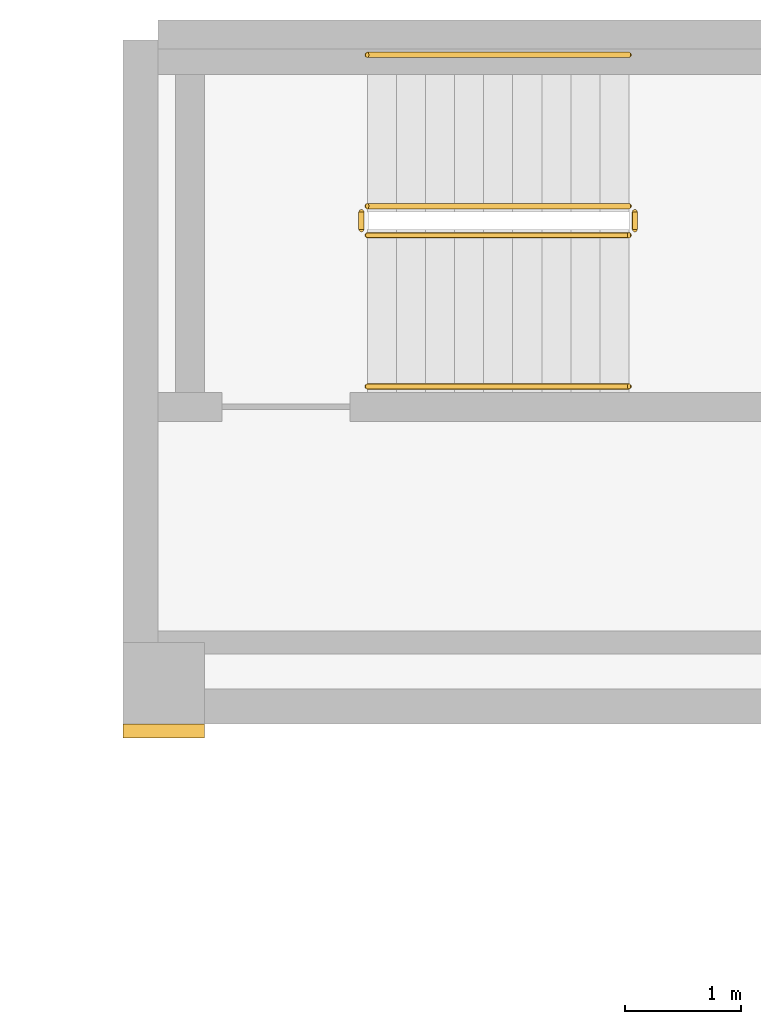
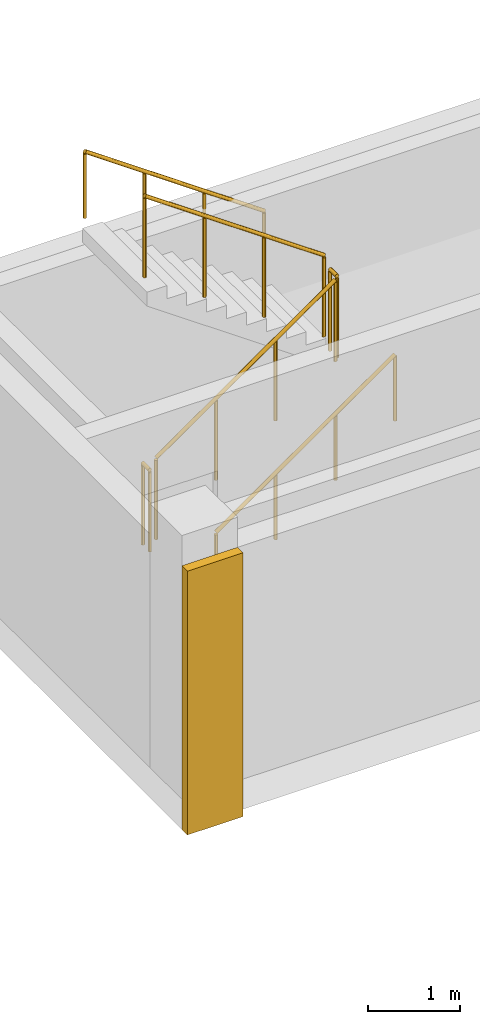
# One storey, part 9 of 9: 6 railings, 1 covering.
"""IFC4 building model written with IfcOpenShell, lengths in metres."""

from ifc_helpers import new_model, si_unit, direction, frame, origin, origin_2d, place, context, subcontext, project, spatial, rectangle, circle, extrude, source, transform, mapped, material, type_object, element, save


model = new_model("IFC4")

# Units and contexts
model_context = context("Model", 3, precision=1e-05, world=origin(), true_north=direction((0.0, 1.0)))
body_context = subcontext(model_context, "Body", "Model", "MODEL_VIEW")
ifc_project = project(units=[si_unit("LENGTHUNIT", "METRE"), si_unit("AREAUNIT", "SQUARE_METRE"), si_unit("VOLUMEUNIT", "CUBIC_METRE"), si_unit("PLANEANGLEUNIT", "RADIAN"), si_unit("MASSUNIT", "GRAM", prefix="KILO")], contexts=[model_context])

# Site, building, storey
site_placement = place(None, origin())
site = spatial("IfcSite", under=ifc_project, at=site_placement, CompositionType="ELEMENT")
building_placement = place(site_placement, origin())
building = spatial("IfcBuilding", under=site, at=building_placement, Name="Aurelian Terraces", CompositionType="ELEMENT")
storey_placement = place(building_placement, frame((0.0, 0.0, 312.5)))
storey = spatial("IfcBuildingStorey", under=building, at=storey_placement, Name="L72", CompositionType="ELEMENT", Elevation=312.5)

# Covering
ifc_material_1 = material(Name="Terracotta rainscreen cladding relief", Category="masonry")
covering_type = type_object("IfcCoveringType", Name="BAGUETTE-TC", PredefinedType="CLADDING", material=ifc_material_1)
shared_shape_1 = source(origin(), body_context, "Body", "SweptSolid", [
    extrude(rectangle(XDim=0.7, YDim=0.12, at=origin_2d()), origin(), (0.0, 0.0, 1.0), 3.5),
])
covering_placement = place(storey_placement, frame((10.85, 37.74, -0.4), z_axis=(0.0, 0.0, 1.0), x_axis=(1.0, 0.0, 0.0)))
element("IfcCovering", 1, at=covering_placement, inside=storey, type_object=covering_type, Name="BAGUETTE pier L72 6", PredefinedType="CLADDING", context=body_context, shape_type="MappedRepresentation", body=[
    mapped(shared_shape_1, transform((0.0, 0.0, 0.0), scale=1.0)),
])

# Railings
ifc_material_2 = material(Name="Stainless steel", Category="steel")
railing_type_1 = type_object("IfcRailingType", Name="Stair guard 1100", PredefinedType="GUARDRAIL", material=ifc_material_2)
shared_shape_2 = source(origin(), body_context, "Body", "SweptSolid", [
    extrude(circle(Radius=0.024, at=origin_2d()), frame((0.0, 0.0, 1.076), z_axis=(0.0, 1.0, 0.0), x_axis=(-1.0, 0.0, 0.0)), (0.0, 0.0, 1.0), 0.15),
    extrude(circle(Radius=0.021, at=origin_2d()), origin(), (0.0, 0.0, 1.0), 1.052),
    extrude(circle(Radius=0.021, at=origin_2d()), frame((0.0, 0.15, 0.0)), (0.0, 0.0, 1.0), 1.052),
])
for number, where, name in (
    (2, (14.9, 42.05, 1.75), "L72 S3U stair guard 2"),
    (3, (12.55, 42.05, 0.0), "L72 S3U stair guard 4"),
):
    element("IfcRailing", number, at=place(storey_placement, frame(where)), inside=storey, type_object=railing_type_1, Name=name, PredefinedType="GUARDRAIL", context=body_context, shape_type="MappedRepresentation", body=[
        mapped(shared_shape_2, transform((0.0, 0.0, 0.0), scale=1.0)),
    ])
shared_shape_3 = source(origin(), body_context, "Body", "SweptSolid", [
    extrude(circle(Radius=0.024, at=origin_2d()), frame((0.0, 0.0, 1.076), z_axis=(0.819231920519, 0.0, 0.573462344363), x_axis=(0.0, 1.0, 0.0)), (0.0, 0.0, 1.0), 2.7465),
    extrude(circle(Radius=0.021, at=origin_2d()), origin(), (0.0, 0.0, 1.0), 1.052),
    extrude(circle(Radius=0.021, at=origin_2d()), frame((0.75, 0.0, 0.525)), (0.0, 0.0, 1.0), 1.052),
    extrude(circle(Radius=0.021, at=origin_2d()), frame((1.5, 0.0, 1.05)), (0.0, 0.0, 1.0), 1.052),
    extrude(circle(Radius=0.021, at=origin_2d()), frame((2.25, 0.0, 1.575)), (0.0, 0.0, 1.0), 1.052),
])
railing_1_placement = place(storey_placement, frame((12.6, 42.0, 0.175)))
element("IfcRailing", 4, at=railing_1_placement, inside=storey, type_object=railing_type_1, Name="L72 S3U stair guard 1", PredefinedType="GUARDRAIL", context=body_context, shape_type="MappedRepresentation", body=[
    mapped(shared_shape_3, transform((0.0, 0.0, 0.0), scale=1.0)),
])
shared_shape_4 = source(origin(), body_context, "Body", "SweptSolid", [
    extrude(circle(Radius=0.024, at=origin_2d()), frame((0.0, 0.0, 1.076), z_axis=(-0.819231920519, 0.0, 0.573462344363), x_axis=(0.0, -1.0, 0.0)), (0.0, 0.0, 1.0), 2.7465),
    extrude(circle(Radius=0.021, at=origin_2d()), origin(), (0.0, 0.0, 1.0), 1.052),
    extrude(circle(Radius=0.021, at=origin_2d()), frame((-0.75, 0.0, 0.525)), (0.0, 0.0, 1.0), 1.052),
    extrude(circle(Radius=0.021, at=origin_2d()), frame((-1.5, 0.0, 1.05)), (0.0, 0.0, 1.0), 1.052),
    extrude(circle(Radius=0.021, at=origin_2d()), frame((-2.25, 0.0, 1.575)), (0.0, 0.0, 1.0), 1.052),
])
railing_2_placement = place(storey_placement, frame((14.85, 42.25, 1.925)))
element("IfcRailing", 5, at=railing_2_placement, inside=storey, type_object=railing_type_1, Name="L72 S3U stair guard 3", PredefinedType="GUARDRAIL", context=body_context, shape_type="MappedRepresentation", body=[
    mapped(shared_shape_4, transform((0.0, 0.0, 0.0), scale=1.0)),
])
railing_type_2 = type_object("IfcRailingType", Name="Stair handrail", PredefinedType="HANDRAIL", material=ifc_material_2)
shared_shape_5 = source(origin(), body_context, "Body", "SweptSolid", [
    extrude(circle(Radius=0.024, at=origin_2d()), frame((0.0, 0.0, 0.876), z_axis=(0.819231920519, 0.0, 0.573462344363), x_axis=(0.0, 1.0, 0.0)), (0.0, 0.0, 1.0), 2.7465),
    extrude(circle(Radius=0.021, at=origin_2d()), origin(), (0.0, 0.0, 1.0), 0.852),
    extrude(circle(Radius=0.021, at=origin_2d()), frame((0.75, 0.0, 0.525)), (0.0, 0.0, 1.0), 0.852),
    extrude(circle(Radius=0.021, at=origin_2d()), frame((1.5, 0.0, 1.05)), (0.0, 0.0, 1.0), 0.852),
    extrude(circle(Radius=0.021, at=origin_2d()), frame((2.25, 0.0, 1.575)), (0.0, 0.0, 1.0), 0.852),
])
railing_3_placement = place(storey_placement, frame((12.6, 40.7, 0.175)))
element("IfcRailing", 6, at=railing_3_placement, inside=storey, type_object=railing_type_2, Name="L72 S3U stair handrail 1", PredefinedType="HANDRAIL", context=body_context, shape_type="MappedRepresentation", body=[
    mapped(shared_shape_5, transform((0.0, 0.0, 0.0), scale=1.0)),
])
shared_shape_6 = source(origin(), body_context, "Body", "SweptSolid", [
    extrude(circle(Radius=0.024, at=origin_2d()), frame((0.0, 0.0, 0.876), z_axis=(-0.819231920519, 0.0, 0.573462344363), x_axis=(0.0, -1.0, 0.0)), (0.0, 0.0, 1.0), 2.7465),
    extrude(circle(Radius=0.021, at=origin_2d()), origin(), (0.0, 0.0, 1.0), 0.852),
    extrude(circle(Radius=0.021, at=origin_2d()), frame((-0.75, 0.0, 0.525)), (0.0, 0.0, 1.0), 0.852),
    extrude(circle(Radius=0.021, at=origin_2d()), frame((-1.5, 0.0, 1.05)), (0.0, 0.0, 1.0), 0.852),
    extrude(circle(Radius=0.021, at=origin_2d()), frame((-2.25, 0.0, 1.575)), (0.0, 0.0, 1.0), 0.852),
])
railing_4_placement = place(storey_placement, frame((14.85, 43.55, 1.925)))
element("IfcRailing", 7, at=railing_4_placement, inside=storey, type_object=railing_type_2, Name="L72 S3U stair handrail 2", PredefinedType="HANDRAIL", context=body_context, shape_type="MappedRepresentation", body=[
    mapped(shared_shape_6, transform((0.0, 0.0, 0.0), scale=1.0)),
])

save(model, "model.ifc")
